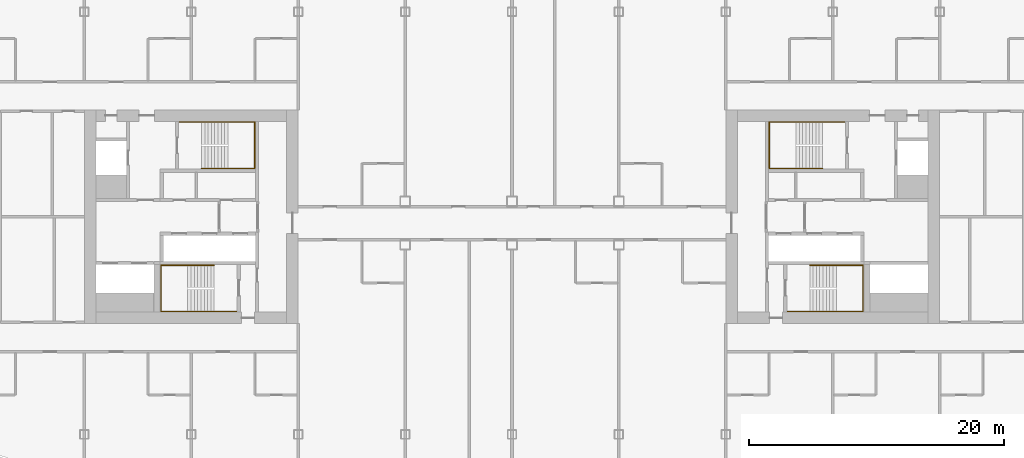
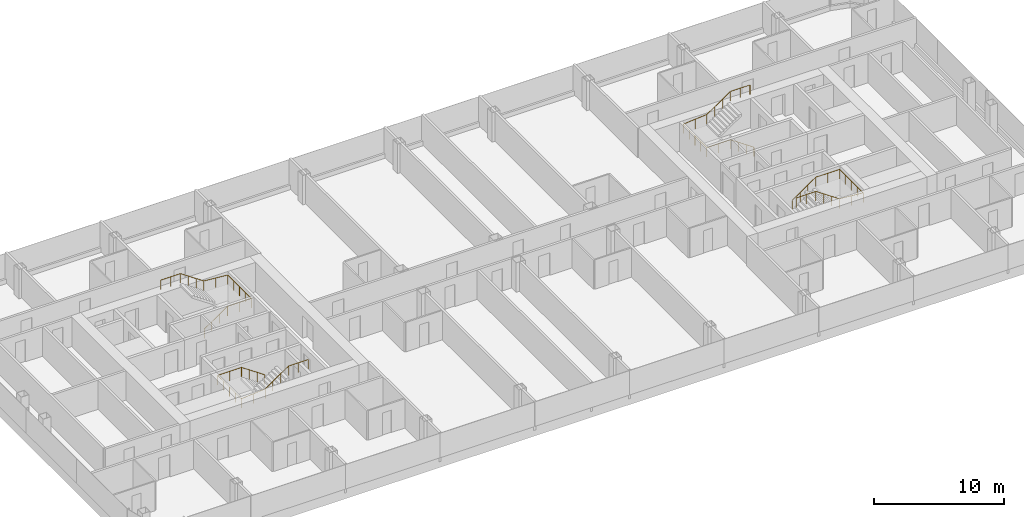
# One storey, part 26 of 26: 4 railings.
"""IFC4 building model written with IfcOpenShell, lengths in metres."""

from ifc_helpers import new_model, si_unit, direction, frame, origin, origin_2d, place, context, subcontext, project, spatial, circle, extrude, material, type_object, element, save


model = new_model("IFC4")

# Units and contexts
model_context = context("Model", 3, precision=1e-05, world=origin(), true_north=direction((0.0, 1.0)))
body_context = subcontext(model_context, "Body", "Model", "MODEL_VIEW")
ifc_project = project(units=[si_unit("LENGTHUNIT", "METRE"), si_unit("AREAUNIT", "SQUARE_METRE"), si_unit("VOLUMEUNIT", "CUBIC_METRE"), si_unit("PLANEANGLEUNIT", "RADIAN"), si_unit("MASSUNIT", "GRAM", prefix="KILO")], contexts=[model_context])

# Site, building, storey
site_placement = place(None, origin())
site = spatial("IfcSite", under=ifc_project, at=site_placement, CompositionType="ELEMENT")
building_placement = place(site_placement, origin())
building = spatial("IfcBuilding", under=site, at=building_placement, Name="Hakoniwa Tower and Hamabe Station Hall", CompositionType="ELEMENT")
storey_placement = place(building_placement, frame((0.0, 0.0, 131.0)))
storey = spatial("IfcBuildingStorey", under=building, at=storey_placement, Name="L36", CompositionType="ELEMENT", Elevation=131.0)

# Railings
ifc_material = material(Name="Stainless steel SUS304", Category="steel")
railing_type = type_object("IfcRailingType", Name="STAIR HANDRAIL 900", PredefinedType="HANDRAIL", material=ifc_material)
railing_1_placement = place(storey_placement, frame((-24.39990234375, 3.81005859375, 0.177734375)))
element("IfcRailing", 1, at=railing_1_placement, inside=storey, type_object=railing_type, Name="Handrail ST-1 L36 1", PredefinedType="HANDRAIL", context=body_context, shape_type="SweptSolid", body=[
    extrude(circle(Radius=0.02392578125, at=origin_2d()), frame((0.0, 0.0, 0.8759765625), z_axis=(0.825433201882, 0.0, 0.564499804456), x_axis=(0.0, 1.0, 0.0)), (0.0, 0.0, 1.0), 2.519775390625),
    extrude(circle(Radius=0.02392578125, at=origin_2d()), frame((2.079833984375, 0.0, 2.29833984375), z_axis=(1.0, 0.0, 0.0), x_axis=(0.0, 1.0, 0.0)), (0.0, 0.0, 1.0), 2.110107421875),
    extrude(circle(Radius=0.02392578125, at=origin_2d()), frame((4.18994140625, 0.0, 2.29833984375), z_axis=(0.0, 1.0, 0.0), x_axis=(-1.0, 0.0, 0.0)), (0.0, 0.0, 1.0), 3.6298828125),
    extrude(circle(Radius=0.02392578125, at=origin_2d()), frame((4.18994140625, 3.6298828125, 2.29833984375), z_axis=(-0.996471417081, 0.0, 0.083932800143), x_axis=(0.0, -1.0, 0.0)), (0.0, 0.0, 1.0), 2.11767578125),
    extrude(circle(Radius=0.02392578125, at=origin_2d()), frame((2.079833984375, 3.6298828125, 2.47607421875), z_axis=(-0.825478349766, 0.0, 0.564433781827), x_axis=(0.0, -1.0, 0.0)), (0.0, 0.0, 1.0), 2.51953125),
    extrude(circle(Radius=0.02392578125, at=origin_2d()), frame((0.0, 3.6298828125, 3.89794921875), z_axis=(-1.0, 0.0, 0.0), x_axis=(0.0, -1.0, 0.0)), (0.0, 0.0, 1.0), 1.739990234375),
    extrude(circle(Radius=0.02099609375, at=origin_2d()), origin(), (0.0, 0.0, 1.0), 0.851806640625),
    extrude(circle(Radius=0.02099609375, at=origin_2d()), frame((0.693359375, 0.0, 0.47412109375)), (0.0, 0.0, 1.0), 0.851806640625),
    extrude(circle(Radius=0.02099609375, at=origin_2d()), frame((1.386474609375, 0.0, 0.9482421875)), (0.0, 0.0, 1.0), 0.851806640625),
    extrude(circle(Radius=0.02099609375, at=origin_2d()), frame((2.079833984375, 0.0, 1.42236328125)), (0.0, 0.0, 1.0), 0.851806640625),
    extrude(circle(Radius=0.02099609375, at=origin_2d()), frame((3.134765625, 0.0, 1.42236328125)), (0.0, 0.0, 1.0), 0.851806640625),
    extrude(circle(Radius=0.02099609375, at=origin_2d()), frame((4.18994140625, 0.0, 1.42236328125)), (0.0, 0.0, 1.0), 0.851806640625),
    extrude(circle(Radius=0.02099609375, at=origin_2d()), frame((4.18994140625, 0.907470703125, 1.42236328125)), (0.0, 0.0, 1.0), 0.851806640625),
    extrude(circle(Radius=0.02099609375, at=origin_2d()), frame((4.18994140625, 1.81494140625, 1.42236328125)), (0.0, 0.0, 1.0), 0.851806640625),
    extrude(circle(Radius=0.02099609375, at=origin_2d()), frame((4.18994140625, 2.722412109375, 1.42236328125)), (0.0, 0.0, 1.0), 0.851806640625),
    extrude(circle(Radius=0.02099609375, at=origin_2d()), frame((4.18994140625, 3.6298828125, 1.42236328125)), (0.0, 0.0, 1.0), 0.851806640625),
    extrude(circle(Radius=0.02099609375, at=origin_2d()), frame((3.134765625, 3.6298828125, 1.51123046875)), (0.0, 0.0, 1.0), 0.851806640625),
    extrude(circle(Radius=0.02099609375, at=origin_2d()), frame((2.079833984375, 3.6298828125, 1.60009765625)), (0.0, 0.0, 1.0), 0.851806640625),
    extrude(circle(Radius=0.02099609375, at=origin_2d()), frame((1.386474609375, 3.6298828125, 2.07421875)), (0.0, 0.0, 1.0), 0.851806640625),
    extrude(circle(Radius=0.02099609375, at=origin_2d()), frame((0.693359375, 3.6298828125, 2.548095703125)), (0.0, 0.0, 1.0), 0.851806640625),
    extrude(circle(Radius=0.02099609375, at=origin_2d()), frame((0.0, 3.6298828125, 3.022216796875)), (0.0, 0.0, 1.0), 0.851806640625),
    extrude(circle(Radius=0.02099609375, at=origin_2d()), frame((-0.8701171875, 3.6298828125, 3.022216796875)), (0.0, 0.0, 1.0), 0.851806640625),
    extrude(circle(Radius=0.02099609375, at=origin_2d()), frame((-1.739990234375, 3.6298828125, 3.022216796875)), (0.0, 0.0, 1.0), 0.851806640625),
])
railing_2_placement = place(storey_placement, frame((-23.39990234375, -3.81005859375, 0.177734375)))
element("IfcRailing", 2, at=railing_2_placement, inside=storey, type_object=railing_type, Name="Handrail ST-2 L36 1", PredefinedType="HANDRAIL", context=body_context, shape_type="SweptSolid", body=[
    extrude(circle(Radius=0.02392578125, at=origin_2d()), frame((0.0, 0.0, 0.8759765625), z_axis=(-0.825464074169, 0.0, 0.564454659168), x_axis=(0.0, -1.0, 0.0)), (0.0, 0.0, 1.0), 2.519775390625),
    extrude(circle(Radius=0.02392578125, at=origin_2d()), frame((-2.080078125, 0.0, 2.29833984375), z_axis=(-1.0, 0.0, 0.0), x_axis=(0.0, -1.0, 0.0)), (0.0, 0.0, 1.0), 2.110107421875),
    extrude(circle(Radius=0.02392578125, at=origin_2d()), frame((-4.190185546875, 0.0, 2.29833984375), z_axis=(0.0, -1.0, 0.0), x_axis=(1.0, 0.0, 0.0)), (0.0, 0.0, 1.0), 3.6298828125),
    extrude(circle(Radius=0.02392578125, at=origin_2d()), frame((-4.190185546875, -3.6298828125, 2.29833984375), z_axis=(0.996471417081, 0.0, 0.083932800143), x_axis=(0.0, 1.0, 0.0)), (0.0, 0.0, 1.0), 2.11767578125),
    extrude(circle(Radius=0.02392578125, at=origin_2d()), frame((-2.080078125, -3.6298828125, 2.47607421875), z_axis=(0.82550921652, 0.0, 0.564388636881), x_axis=(0.0, 1.0, 0.0)), (0.0, 0.0, 1.0), 2.519775390625),
    extrude(circle(Radius=0.02392578125, at=origin_2d()), frame((0.0, -3.6298828125, 3.89794921875), z_axis=(1.0, 0.0, 0.0), x_axis=(0.0, 1.0, 0.0)), (0.0, 0.0, 1.0), 1.739990234375),
    extrude(circle(Radius=0.02099609375, at=origin_2d()), origin(), (0.0, 0.0, 1.0), 0.851806640625),
    extrude(circle(Radius=0.02099609375, at=origin_2d()), frame((-0.693359375, 0.0, 0.47412109375)), (0.0, 0.0, 1.0), 0.851806640625),
    extrude(circle(Radius=0.02099609375, at=origin_2d()), frame((-1.38671875, 0.0, 0.9482421875)), (0.0, 0.0, 1.0), 0.851806640625),
    extrude(circle(Radius=0.02099609375, at=origin_2d()), frame((-2.080078125, 0.0, 1.42236328125)), (0.0, 0.0, 1.0), 0.851806640625),
    extrude(circle(Radius=0.02099609375, at=origin_2d()), frame((-3.13525390625, 0.0, 1.42236328125)), (0.0, 0.0, 1.0), 0.851806640625),
    extrude(circle(Radius=0.02099609375, at=origin_2d()), frame((-4.190185546875, 0.0, 1.42236328125)), (0.0, 0.0, 1.0), 0.851806640625),
    extrude(circle(Radius=0.02099609375, at=origin_2d()), frame((-4.190185546875, -0.907470703125, 1.42236328125)), (0.0, 0.0, 1.0), 0.851806640625),
    extrude(circle(Radius=0.02099609375, at=origin_2d()), frame((-4.190185546875, -1.81494140625, 1.42236328125)), (0.0, 0.0, 1.0), 0.851806640625),
    extrude(circle(Radius=0.02099609375, at=origin_2d()), frame((-4.190185546875, -2.722412109375, 1.42236328125)), (0.0, 0.0, 1.0), 0.851806640625),
    extrude(circle(Radius=0.02099609375, at=origin_2d()), frame((-4.190185546875, -3.6298828125, 1.42236328125)), (0.0, 0.0, 1.0), 0.851806640625),
    extrude(circle(Radius=0.02099609375, at=origin_2d()), frame((-3.13525390625, -3.6298828125, 1.51123046875)), (0.0, 0.0, 1.0), 0.851806640625),
    extrude(circle(Radius=0.02099609375, at=origin_2d()), frame((-2.080078125, -3.6298828125, 1.60009765625)), (0.0, 0.0, 1.0), 0.851806640625),
    extrude(circle(Radius=0.02099609375, at=origin_2d()), frame((-1.38671875, -3.6298828125, 2.07421875)), (0.0, 0.0, 1.0), 0.851806640625),
    extrude(circle(Radius=0.02099609375, at=origin_2d()), frame((-0.693359375, -3.6298828125, 2.548095703125)), (0.0, 0.0, 1.0), 0.851806640625),
    extrude(circle(Radius=0.02099609375, at=origin_2d()), frame((0.0, -3.6298828125, 3.022216796875)), (0.0, 0.0, 1.0), 0.851806640625),
    extrude(circle(Radius=0.02099609375, at=origin_2d()), frame((0.8701171875, -3.6298828125, 3.022216796875)), (0.0, 0.0, 1.0), 0.851806640625),
    extrude(circle(Radius=0.02099609375, at=origin_2d()), frame((1.739990234375, -3.6298828125, 3.022216796875)), (0.0, 0.0, 1.0), 0.851806640625),
])
railing_3_placement = place(storey_placement, frame((24.39990234375, 3.81005859375, 0.177734375)))
element("IfcRailing", 3, at=railing_3_placement, inside=storey, type_object=railing_type, Name="Handrail ST-3 L36 1", PredefinedType="HANDRAIL", context=body_context, shape_type="SweptSolid", body=[
    extrude(circle(Radius=0.02392578125, at=origin_2d()), frame((0.0, 0.0, 0.8759765625), z_axis=(-0.825433201882, 0.0, 0.564499804456), x_axis=(0.0, -1.0, 0.0)), (0.0, 0.0, 1.0), 2.519775390625),
    extrude(circle(Radius=0.02392578125, at=origin_2d()), frame((-2.079833984375, 0.0, 2.29833984375), z_axis=(-1.0, 0.0, 0.0), x_axis=(0.0, -1.0, 0.0)), (0.0, 0.0, 1.0), 2.110107421875),
    extrude(circle(Radius=0.02392578125, at=origin_2d()), frame((-4.18994140625, 0.0, 2.29833984375), z_axis=(0.0, 1.0, 0.0), x_axis=(-1.0, 0.0, 0.0)), (0.0, 0.0, 1.0), 3.6298828125),
    extrude(circle(Radius=0.02392578125, at=origin_2d()), frame((-4.18994140625, 3.6298828125, 2.29833984375), z_axis=(0.996471417081, 0.0, 0.083932800143), x_axis=(0.0, 1.0, 0.0)), (0.0, 0.0, 1.0), 2.11767578125),
    extrude(circle(Radius=0.02392578125, at=origin_2d()), frame((-2.079833984375, 3.6298828125, 2.47607421875), z_axis=(0.825478349766, 0.0, 0.564433781827), x_axis=(0.0, 1.0, 0.0)), (0.0, 0.0, 1.0), 2.51953125),
    extrude(circle(Radius=0.02392578125, at=origin_2d()), frame((0.0, 3.6298828125, 3.89794921875), z_axis=(1.0, 0.0, 0.0), x_axis=(0.0, 1.0, 0.0)), (0.0, 0.0, 1.0), 1.739990234375),
    extrude(circle(Radius=0.02099609375, at=origin_2d()), origin(), (0.0, 0.0, 1.0), 0.851806640625),
    extrude(circle(Radius=0.02099609375, at=origin_2d()), frame((-0.693359375, 0.0, 0.47412109375)), (0.0, 0.0, 1.0), 0.851806640625),
    extrude(circle(Radius=0.02099609375, at=origin_2d()), frame((-1.386474609375, 0.0, 0.9482421875)), (0.0, 0.0, 1.0), 0.851806640625),
    extrude(circle(Radius=0.02099609375, at=origin_2d()), frame((-2.079833984375, 0.0, 1.42236328125)), (0.0, 0.0, 1.0), 0.851806640625),
    extrude(circle(Radius=0.02099609375, at=origin_2d()), frame((-3.134765625, 0.0, 1.42236328125)), (0.0, 0.0, 1.0), 0.851806640625),
    extrude(circle(Radius=0.02099609375, at=origin_2d()), frame((-4.18994140625, 0.0, 1.42236328125)), (0.0, 0.0, 1.0), 0.851806640625),
    extrude(circle(Radius=0.02099609375, at=origin_2d()), frame((-4.18994140625, 0.907470703125, 1.42236328125)), (0.0, 0.0, 1.0), 0.851806640625),
    extrude(circle(Radius=0.02099609375, at=origin_2d()), frame((-4.18994140625, 1.81494140625, 1.42236328125)), (0.0, 0.0, 1.0), 0.851806640625),
    extrude(circle(Radius=0.02099609375, at=origin_2d()), frame((-4.18994140625, 2.722412109375, 1.42236328125)), (0.0, 0.0, 1.0), 0.851806640625),
    extrude(circle(Radius=0.02099609375, at=origin_2d()), frame((-4.18994140625, 3.6298828125, 1.42236328125)), (0.0, 0.0, 1.0), 0.851806640625),
    extrude(circle(Radius=0.02099609375, at=origin_2d()), frame((-3.134765625, 3.6298828125, 1.51123046875)), (0.0, 0.0, 1.0), 0.851806640625),
    extrude(circle(Radius=0.02099609375, at=origin_2d()), frame((-2.079833984375, 3.6298828125, 1.60009765625)), (0.0, 0.0, 1.0), 0.851806640625),
    extrude(circle(Radius=0.02099609375, at=origin_2d()), frame((-1.386474609375, 3.6298828125, 2.07421875)), (0.0, 0.0, 1.0), 0.851806640625),
    extrude(circle(Radius=0.02099609375, at=origin_2d()), frame((-0.693359375, 3.6298828125, 2.548095703125)), (0.0, 0.0, 1.0), 0.851806640625),
    extrude(circle(Radius=0.02099609375, at=origin_2d()), frame((0.0, 3.6298828125, 3.022216796875)), (0.0, 0.0, 1.0), 0.851806640625),
    extrude(circle(Radius=0.02099609375, at=origin_2d()), frame((0.8701171875, 3.6298828125, 3.022216796875)), (0.0, 0.0, 1.0), 0.851806640625),
    extrude(circle(Radius=0.02099609375, at=origin_2d()), frame((1.739990234375, 3.6298828125, 3.022216796875)), (0.0, 0.0, 1.0), 0.851806640625),
])
railing_4_placement = place(storey_placement, frame((23.39990234375, -3.81005859375, 0.177734375)))
element("IfcRailing", 4, at=railing_4_placement, inside=storey, type_object=railing_type, Name="Handrail ST-4 L36 1", PredefinedType="HANDRAIL", context=body_context, shape_type="SweptSolid", body=[
    extrude(circle(Radius=0.02392578125, at=origin_2d()), frame((0.0, 0.0, 0.8759765625), z_axis=(0.825464074169, 0.0, 0.564454659168), x_axis=(0.0, 1.0, 0.0)), (0.0, 0.0, 1.0), 2.519775390625),
    extrude(circle(Radius=0.02392578125, at=origin_2d()), frame((2.080078125, 0.0, 2.29833984375), z_axis=(1.0, 0.0, 0.0), x_axis=(0.0, 1.0, 0.0)), (0.0, 0.0, 1.0), 2.110107421875),
    extrude(circle(Radius=0.02392578125, at=origin_2d()), frame((4.190185546875, 0.0, 2.29833984375), z_axis=(0.0, -1.0, 0.0), x_axis=(1.0, 0.0, 0.0)), (0.0, 0.0, 1.0), 3.6298828125),
    extrude(circle(Radius=0.02392578125, at=origin_2d()), frame((4.190185546875, -3.6298828125, 2.29833984375), z_axis=(-0.996471417081, 0.0, 0.083932800143), x_axis=(0.0, -1.0, 0.0)), (0.0, 0.0, 1.0), 2.11767578125),
    extrude(circle(Radius=0.02392578125, at=origin_2d()), frame((2.080078125, -3.6298828125, 2.47607421875), z_axis=(-0.82550921652, 0.0, 0.564388636881), x_axis=(0.0, -1.0, 0.0)), (0.0, 0.0, 1.0), 2.519775390625),
    extrude(circle(Radius=0.02392578125, at=origin_2d()), frame((0.0, -3.6298828125, 3.89794921875), z_axis=(-1.0, 0.0, 0.0), x_axis=(0.0, -1.0, 0.0)), (0.0, 0.0, 1.0), 1.739990234375),
    extrude(circle(Radius=0.02099609375, at=origin_2d()), origin(), (0.0, 0.0, 1.0), 0.851806640625),
    extrude(circle(Radius=0.02099609375, at=origin_2d()), frame((0.693359375, 0.0, 0.47412109375)), (0.0, 0.0, 1.0), 0.851806640625),
    extrude(circle(Radius=0.02099609375, at=origin_2d()), frame((1.38671875, 0.0, 0.9482421875)), (0.0, 0.0, 1.0), 0.851806640625),
    extrude(circle(Radius=0.02099609375, at=origin_2d()), frame((2.080078125, 0.0, 1.42236328125)), (0.0, 0.0, 1.0), 0.851806640625),
    extrude(circle(Radius=0.02099609375, at=origin_2d()), frame((3.13525390625, 0.0, 1.42236328125)), (0.0, 0.0, 1.0), 0.851806640625),
    extrude(circle(Radius=0.02099609375, at=origin_2d()), frame((4.190185546875, 0.0, 1.42236328125)), (0.0, 0.0, 1.0), 0.851806640625),
    extrude(circle(Radius=0.02099609375, at=origin_2d()), frame((4.190185546875, -0.907470703125, 1.42236328125)), (0.0, 0.0, 1.0), 0.851806640625),
    extrude(circle(Radius=0.02099609375, at=origin_2d()), frame((4.190185546875, -1.81494140625, 1.42236328125)), (0.0, 0.0, 1.0), 0.851806640625),
    extrude(circle(Radius=0.02099609375, at=origin_2d()), frame((4.190185546875, -2.722412109375, 1.42236328125)), (0.0, 0.0, 1.0), 0.851806640625),
    extrude(circle(Radius=0.02099609375, at=origin_2d()), frame((4.190185546875, -3.6298828125, 1.42236328125)), (0.0, 0.0, 1.0), 0.851806640625),
    extrude(circle(Radius=0.02099609375, at=origin_2d()), frame((3.13525390625, -3.6298828125, 1.51123046875)), (0.0, 0.0, 1.0), 0.851806640625),
    extrude(circle(Radius=0.02099609375, at=origin_2d()), frame((2.080078125, -3.6298828125, 1.60009765625)), (0.0, 0.0, 1.0), 0.851806640625),
    extrude(circle(Radius=0.02099609375, at=origin_2d()), frame((1.38671875, -3.6298828125, 2.07421875)), (0.0, 0.0, 1.0), 0.851806640625),
    extrude(circle(Radius=0.02099609375, at=origin_2d()), frame((0.693359375, -3.6298828125, 2.548095703125)), (0.0, 0.0, 1.0), 0.851806640625),
    extrude(circle(Radius=0.02099609375, at=origin_2d()), frame((0.0, -3.6298828125, 3.022216796875)), (0.0, 0.0, 1.0), 0.851806640625),
    extrude(circle(Radius=0.02099609375, at=origin_2d()), frame((-0.8701171875, -3.6298828125, 3.022216796875)), (0.0, 0.0, 1.0), 0.851806640625),
    extrude(circle(Radius=0.02099609375, at=origin_2d()), frame((-1.739990234375, -3.6298828125, 3.022216796875)), (0.0, 0.0, 1.0), 0.851806640625),
])

save(model, "model.ifc")
